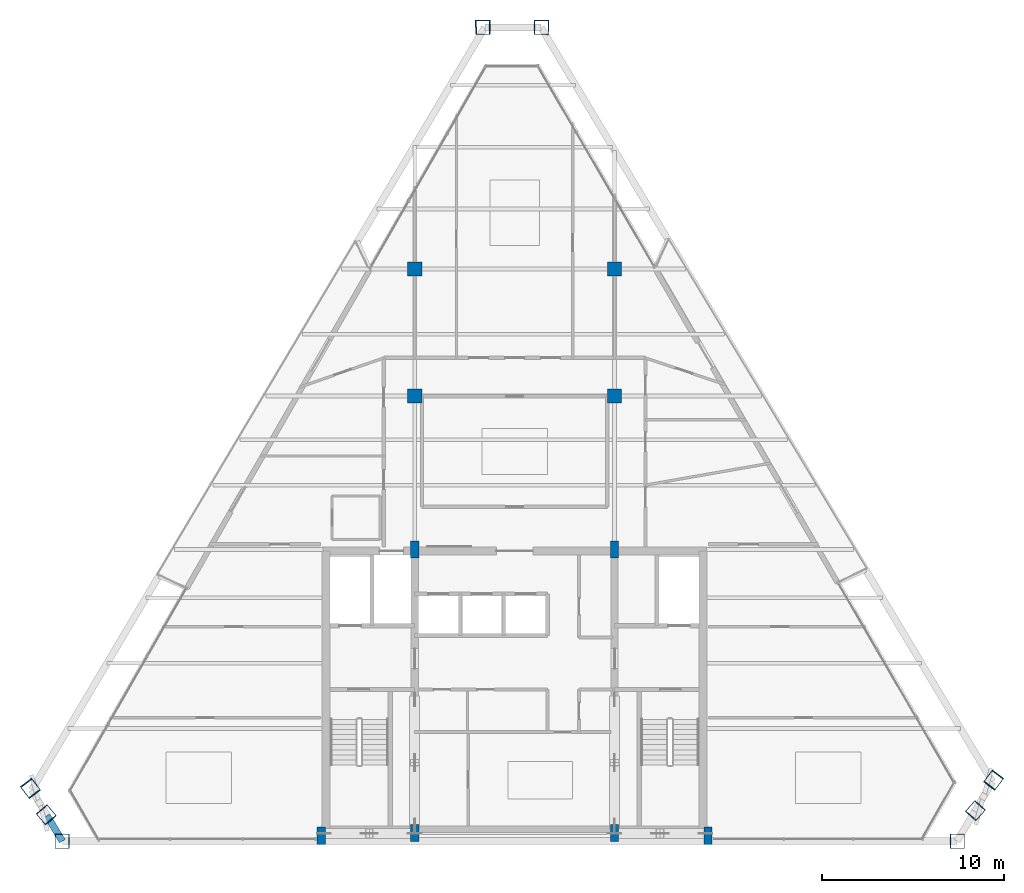
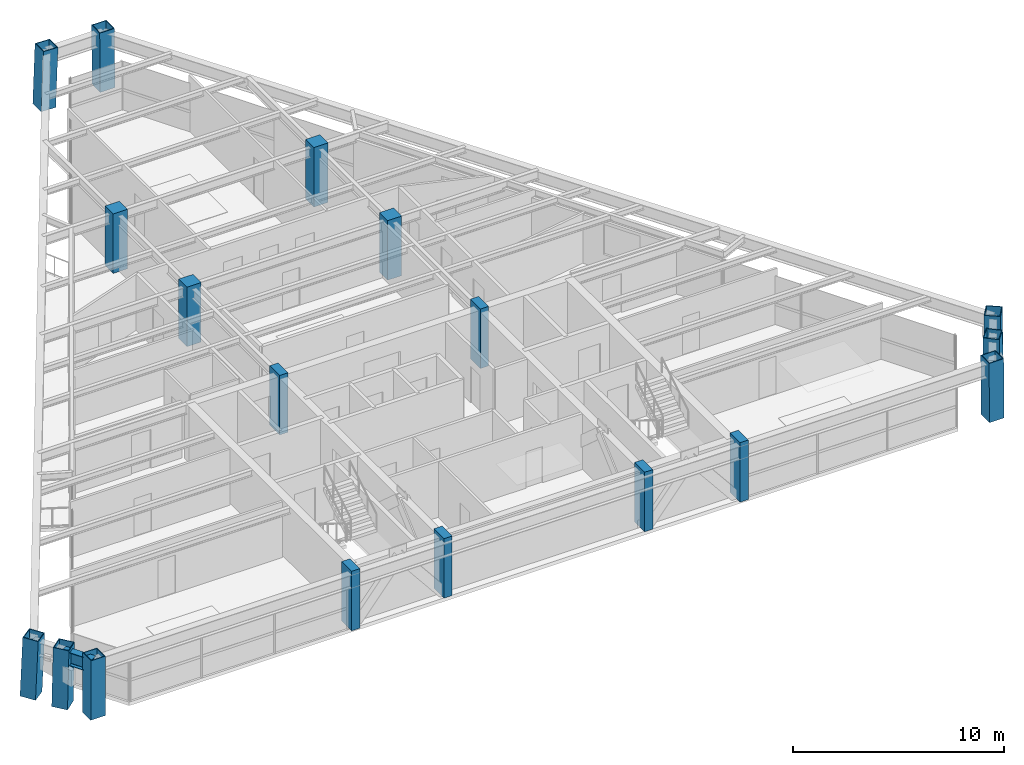
# One storey, part 1 of 13: 18 columns, 1 beam.
"""IFC4 building model written with IfcOpenShell, lengths in metres."""

from ifc_helpers import new_model, si_unit, direction, frame, origin, origin_2d, place, context, subcontext, project, spatial, rectangle, hollow_rectangle, i_section, extrude, source, transform, mapped, material, material_profile, profile_set, type_object, type_shapes, element, save


model = new_model("IFC4")

# Units and contexts
model_context = context("Model", 3, precision=1e-05, world=origin(), true_north=direction((0.0, 1.0)))
body_context = subcontext(model_context, "Body", "Model", "MODEL_VIEW")
ifc_project = project(units=[si_unit("LENGTHUNIT", "METRE"), si_unit("AREAUNIT", "SQUARE_METRE"), si_unit("VOLUMEUNIT", "CUBIC_METRE"), si_unit("PLANEANGLEUNIT", "RADIAN"), si_unit("MASSUNIT", "GRAM", prefix="KILO")], contexts=[model_context])

# Site, building, storey
site_placement = place(None, origin())
site = spatial("IfcSite", under=ifc_project, at=site_placement, CompositionType="ELEMENT")
building_placement = place(site_placement, origin())
building = spatial("IfcBuilding", under=site, at=building_placement, Name="Varnakhor Terracotta Tower", CompositionType="ELEMENT")
storey_placement = place(building_placement, frame((0.0, 0.0, 290.25)))
storey = spatial("IfcBuildingStorey", under=building, at=storey_placement, Name="L76", CompositionType="ELEMENT", Elevation=290.25)

# Columns
ifc_material_1 = material(Name="Concrete C50/60", Category="concrete")
ifc_material_profile_1 = material_profile(ifc_material_1, rectangle(XDim=0.449951171875, YDim=0.949951171875, at=origin_2d()), Name="RC PILASTER 950x450")
ifc_profile_set_1 = profile_set([ifc_material_profile_1], Name="Concrete C50/60")
column_type_1 = type_object("IfcColumnType", Name="COL-PIL-950x450", PredefinedType="PILASTER", material=ifc_profile_set_1)
shared_shape_1 = source(origin(), body_context, "Body", "SweptSolid", [
    extrude(rectangle(XDim=0.449951171875, YDim=0.949951171875, at=origin_2d()), origin(), (0.0, 0.0, 1.0), 3.449951171875),
])
for number, where, z_axis, x_axis, name in (
    (1, (-10.64990234375, 0.300048828125, 0.0), (0.0, 0.0, 1.0), (1.0, 0.0, 0.0), "L76 Core Pilaster CP1"),
    (2, (-5.5, 0.449951171875, 0.0), (0.0, 0.0, 1.0), (1.0, 0.0, 0.0), "L76 Core Pilaster CP2"),
    (3, (5.5, 0.449951171875, 0.0), (0.0, 0.0, 1.0), (1.0, 0.0, 0.0), "L76 Core Pilaster CP3"),
    (4, (10.64990234375, 0.300048828125, 0.0), (0.0, 0.0, 1.0), (1.0, 0.0, 0.0), "L76 Core Pilaster CP4"),
    (5, (-5.5, 16.050048828125, 0.0), (0.0, 0.0, 1.0), (1.0, 0.0, 0.0), "L76 Core Pilaster CP5"),
    (6, (5.5, 16.050048828125, 0.0), (0.0, 0.0, 1.0), (1.0, 0.0, 0.0), "L76 Core Pilaster CP6"),
):
    element("IfcColumn", number, at=place(storey_placement, frame(where, z_axis=z_axis, x_axis=x_axis)), inside=storey, type_object=column_type_1, Name=name, PredefinedType="PILASTER", context=body_context, shape_type="MappedRepresentation", body=[
        mapped(shared_shape_1, transform((0.0, 0.0, 0.0), scale=1.0)),
    ])
ifc_material_profile_2 = material_profile(ifc_material_1, rectangle(XDim=0.780029296875, YDim=0.780029296875, at=origin_2d()), Name="RC 780x780")
ifc_profile_set_2 = profile_set([ifc_material_profile_2], Name="Concrete C50/60")
column_type_2 = type_object("IfcColumnType", Name="COL-RC-780", PredefinedType="COLUMN", material=ifc_profile_set_2)
shared_shape_2 = source(origin(), body_context, "Body", "SweptSolid", [
    extrude(rectangle(XDim=0.780029296875, YDim=0.780029296875, at=origin_2d()), origin(), (0.0, 0.0, 1.0), 3.449951171875),
])
for number, where, z_axis, x_axis, name in (
    (7, (-5.5, 24.5, 0.0), (0.0, 0.0, 1.0), (1.0, 0.0, 0.0), "L76 Interior Tower Column IC1"),
    (8, (5.5, 24.5, 0.0), (0.0, 0.0, 1.0), (1.0, 0.0, 0.0), "L76 Interior Tower Column IC2"),
    (9, (-5.5, 31.5, 0.0), (0.0, 0.0, 1.0), (1.0, 0.0, 0.0), "L76 Interior Tower Column IC3"),
    (10, (5.5, 31.5, 0.0), (0.0, 0.0, 1.0), (1.0, 0.0, 0.0), "L76 Interior Tower Column IC4"),
):
    element("IfcColumn", number, at=place(storey_placement, frame(where, z_axis=z_axis, x_axis=x_axis)), inside=storey, type_object=column_type_2, Name=name, PredefinedType="COLUMN", context=body_context, shape_type="MappedRepresentation", body=[
        mapped(shared_shape_2, transform((0.0, 0.0, 0.0), scale=1.0)),
    ])
ifc_material_2 = material(Name="Steel S355", Category="steel")
ifc_material_profile_3 = material_profile(ifc_material_2, hollow_rectangle(XDim=0.800048828125, YDim=0.800048828125, WallThickness=0.0400390625, at=origin_2d()), Name="BOX 800x800x40")
ifc_profile_set_3 = profile_set([ifc_material_profile_3], Name="Steel S355")
column_type_3 = type_object("IfcColumnType", Name="COL-MEGA-800", PredefinedType="COLUMN", material=ifc_profile_set_3)
shared_shape_3 = source(origin(), body_context, "Body", "SweptSolid", [
    extrude(hollow_rectangle(XDim=0.800048828125, YDim=0.800048828125, WallThickness=0.0400390625, at=origin_2d()), origin(), (0.0, 0.0, 1.0), 3.44140625),
])
type_shapes(column_type_3, [shared_shape_3])
column_1_placement = place(storey_placement, frame((1.480224609375, 44.79248046875, 0.00439453125), z_axis=(-0.008442409217, 0.000141889231, 0.999964352162), x_axis=(-0.016804349529, -0.999858796949, 0.0)))
element("IfcColumn", 11, at=column_1_placement, inside=storey, type_object=column_type_3, Name="L76 Perimeter Mega-Column M5", PredefinedType="COLUMN", context=body_context, shape_type="MappedRepresentation", body=[
    mapped(shared_shape_3, transform((0.0, 0.0, 0.0), scale=1.0)),
])
shared_shape_4 = source(origin(), body_context, "Body", "SweptSolid", [
    extrude(hollow_rectangle(XDim=0.800048828125, YDim=0.800048828125, WallThickness=0.0400390625, at=origin_2d()), origin(), (0.0, 0.0, 1.0), 3.44189453125),
])
for number, where, z_axis, x_axis, name in (
    (12, (25.36865234375, 1.68994140625, 0.00439453125), (-0.013618989325, -0.015321362991, 0.999789867405), (0.747409318684, -0.66436383883, 0.0), "L76 Perimeter Mega-Column M3"),
    (13, (-25.786865234375, 1.46240234375, 0.00439453125), (0.013547904061, -0.016101435716, 0.999778574517), (0.765173369371, 0.643824288766, 0.0), "L76 Perimeter Mega-Column M8"),
):
    element("IfcColumn", number, at=place(storey_placement, frame(where, z_axis=z_axis, x_axis=x_axis)), inside=storey, type_object=column_type_3, Name=name, PredefinedType="COLUMN", context=body_context, shape_type="MappedRepresentation", body=[
        mapped(shared_shape_4, transform((0.0, 0.0, 0.0), scale=1.0)),
    ])
shared_shape_5 = source(origin(), body_context, "Body", "SweptSolid", [
    extrude(hollow_rectangle(XDim=0.800048828125, YDim=0.800048828125, WallThickness=0.0400390625, at=origin_2d()), origin(), (0.0, 0.0, 1.0), 3.443359375),
])
column_2_placement = place(storey_placement, frame((-1.769287109375, 44.79248046875, 0.00439453125), z_axis=(0.035946954274, 0.000141802581, 0.999353689326), x_axis=(-0.003944742483, 0.999992219473, 0.0)))
element("IfcColumn", 14, at=column_2_placement, inside=storey, type_object=column_type_3, Name="L76 Perimeter Mega-Column M6", PredefinedType="COLUMN", context=body_context, shape_type="MappedRepresentation", body=[
    mapped(shared_shape_5, transform((0.0, 0.0, 0.0), scale=1.0)),
])
shared_shape_6 = source(origin(), body_context, "Body", "SweptSolid", [
    extrude(hollow_rectangle(XDim=0.800048828125, YDim=0.800048828125, WallThickness=0.0400390625, at=origin_2d()), origin(), (0.0, 0.0, 1.0), 3.441162109375),
])
for number, where, z_axis, x_axis, name in (
    (15, (-24.90771484375, 0.0, 0.00439453125), (0.002766928039, 0.0, 0.999996172047), (0.0, 1.0, 0.0), "L76 Perimeter Mega-Column M1"),
    (16, (24.36376953125, 0.0, 0.00439453125), (-0.004256790095, 0.0, 0.999990939828), (0.0, -1.0, 0.0), "L76 Perimeter Mega-Column M2"),
):
    element("IfcColumn", number, at=place(storey_placement, frame(where, z_axis=z_axis, x_axis=x_axis)), inside=storey, type_object=column_type_3, Name=name, PredefinedType="COLUMN", context=body_context, shape_type="MappedRepresentation", body=[
        mapped(shared_shape_6, transform((0.0, 0.0, 0.0), scale=1.0)),
    ])
shared_shape_7 = source(origin(), body_context, "Body", "SweptSolid", [
    extrude(hollow_rectangle(XDim=0.800048828125, YDim=0.800048828125, WallThickness=0.0400390625, at=origin_2d()), origin(), (0.0, 0.0, 1.0), 3.443603515625),
])
column_3_placement = place(storey_placement, frame((26.37353515625, 3.3798828125, 0.00439453125), z_axis=(-0.023040881184, -0.03062664822, 0.999265293209), x_axis=(0.799111222676, -0.601183211504, 0.0)))
element("IfcColumn", 17, at=column_3_placement, inside=storey, type_object=column_type_3, Name="L76 Perimeter Mega-Column M4", PredefinedType="COLUMN", context=body_context, shape_type="MappedRepresentation", body=[
    mapped(shared_shape_7, transform((0.0, 0.0, 0.0), scale=1.0)),
])
shared_shape_8 = source(origin(), body_context, "Body", "SweptSolid", [
    extrude(hollow_rectangle(XDim=0.800048828125, YDim=0.800048828125, WallThickness=0.0400390625, at=origin_2d()), origin(), (0.0, 0.0, 1.0), 3.444091796875),
])
column_4_placement = place(storey_placement, frame((-26.666015625, 2.925048828125, 0.00439453125), z_axis=(0.02438585743, -0.032254549799, 0.99918215255), x_axis=(0.797679901379, 0.603081068295, 0.0)))
element("IfcColumn", 18, at=column_4_placement, inside=storey, type_object=column_type_3, Name="L76 Perimeter Mega-Column M7", PredefinedType="COLUMN", context=body_context, shape_type="MappedRepresentation", body=[
    mapped(shared_shape_8, transform((0.0, 0.0, 0.0), scale=1.0)),
])

# Beam
ifc_material_profile_4 = material_profile(ifc_material_2, i_section(OverallWidth=0.381103515625, OverallDepth=0.77294921875, WebThickness=0.01708984375, FlangeThickness=0.027099609375, FilletRadius=0.01806640625, at=origin_2d()), Name="W30X173")
ifc_profile_set_4 = profile_set([ifc_material_profile_4], Name="Steel S355")
beam_type = type_object("IfcBeamType", Name="BM-W30X173", PredefinedType="BEAM", material=ifc_profile_set_4)
shared_shape_9 = source(origin(), body_context, "Body", "SweptSolid", [
    extrude(i_section(OverallWidth=0.381103515625, OverallDepth=0.77294921875, WebThickness=0.01708984375, FlangeThickness=0.027099609375, FilletRadius=0.01806640625, at=origin_2d()), origin(), (0.0, 0.0, 1.0), 1.6396484375),
])
beam_placement = place(storey_placement, frame((-25.740234375, 1.406982421875, 2.853515625), z_axis=(0.513532005309, -0.858070439721, 0.0), x_axis=(0.858070439721, 0.513532005309, 0.0)))
element("IfcBeam", 19, at=beam_placement, inside=storey, type_object=beam_type, Name="L76 Perimeter Spandrel 8", PredefinedType="BEAM", context=body_context, shape_type="MappedRepresentation", body=[
    mapped(shared_shape_9, transform((0.0, 0.0, 0.0), scale=1.0)),
])

save(model, "model.ifc")
